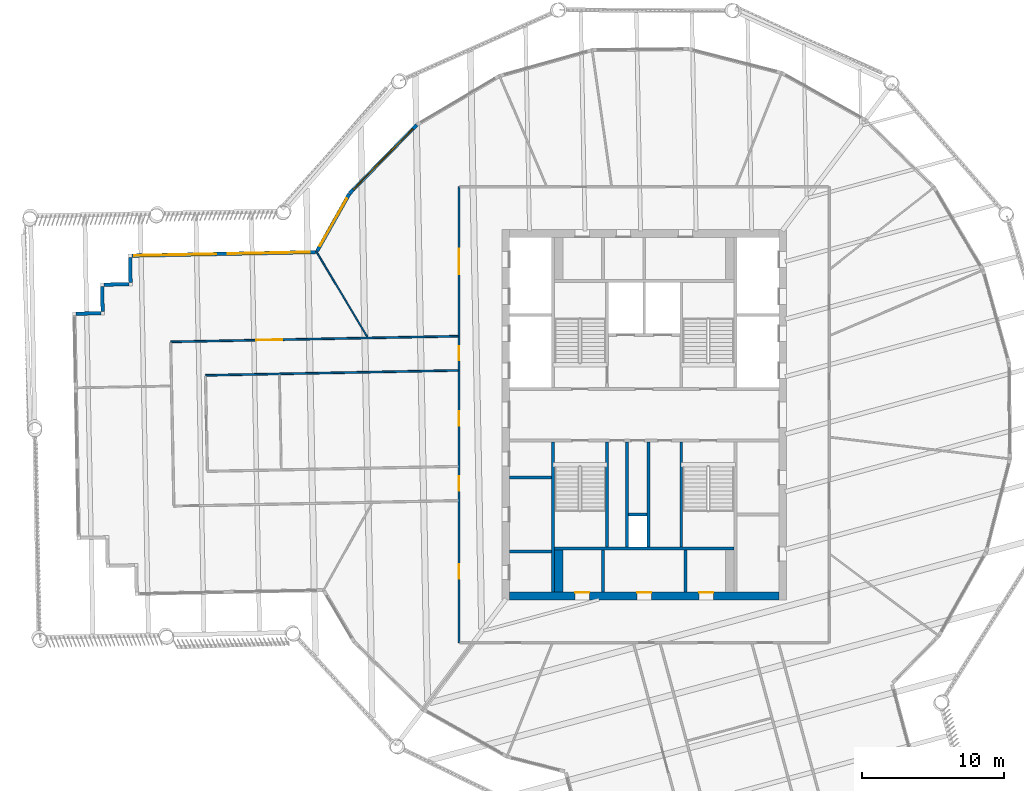
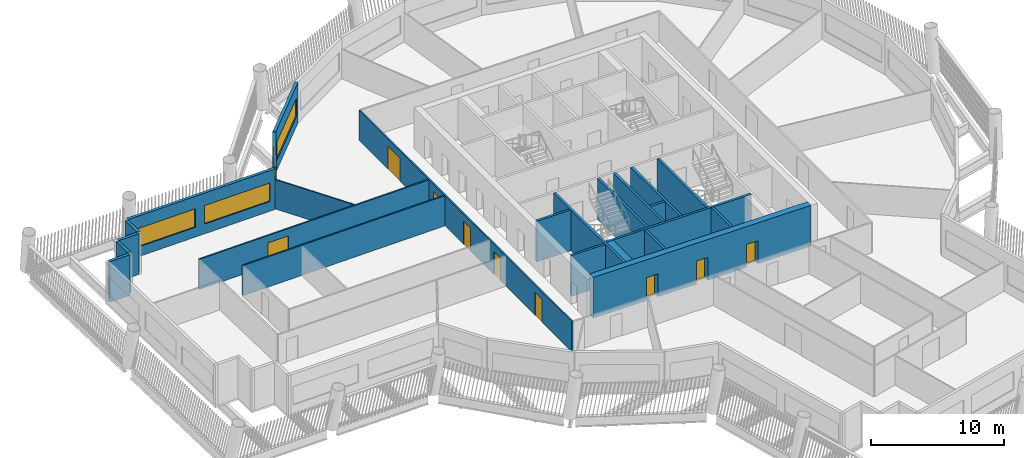
# One storey, part 4 of 15: 24 walls, 9 doors, 4 windows, 13 openings.
"""IFC4 building model written with IfcOpenShell, lengths in metres."""

from ifc_helpers import new_model, si_unit, direction, frame, frame_2d, origin, place, context, subcontext, project, spatial, rectangle, extrude, material, layer, layer_set, type_object, element, fill, save


model = new_model("IFC4")

# Units and contexts
model_context = context("Model", 3, precision=1e-05, world=origin(), true_north=direction((0.0, 1.0)))
body_context = subcontext(model_context, "Body", "Model", "MODEL_VIEW")
ifc_project = project(units=[si_unit("LENGTHUNIT", "METRE"), si_unit("AREAUNIT", "SQUARE_METRE"), si_unit("VOLUMEUNIT", "CUBIC_METRE"), si_unit("PLANEANGLEUNIT", "RADIAN"), si_unit("MASSUNIT", "GRAM", prefix="KILO")], contexts=[model_context])

# Site, building, storey
site_placement = place(None, origin())
site = spatial("IfcSite", under=ifc_project, at=site_placement, CompositionType="ELEMENT")
building_placement = place(site_placement, origin())
building = spatial("IfcBuilding", under=site, at=building_placement, Name="Tarsis Ring Headquarters", CompositionType="ELEMENT")
storey_placement = place(building_placement, frame((0.0, 0.0, 290.300048828125)))
storey = spatial("IfcBuildingStorey", under=building, at=storey_placement, Name="L68", CompositionType="ELEMENT", Elevation=290.300048828125)

# Walls
ifc_material_1 = material(Name="Blockwork", Category="masonry")
ifc_layer_1 = layer(ifc_material_1, 0.199951171875)
ifc_layer_set_1 = layer_set([ifc_layer_1], Name="Core blockwork wall 200")
wall_type_1 = type_object("IfcWallType", Name="Core blockwork wall 200", PredefinedType="PARTITIONING", material=ifc_layer_set_1)
for number, where, z_axis, x_axis, name in (
    (1, (-9.449951171875, -9.60009765625, 0.0), (0.0, 0.0, 1.0), (1.0, 0.0, 0.0), "Core partition WD1"),
    (2, (-9.449951171875, -4.39990234375, 0.0), (0.0, 0.0, 1.0), (1.0, 0.0, 0.0), "Core partition WD3"),
    (3, (-2.89990234375, -12.449951171875, 0.0), (0.0, 0.0, 1.0), (0.0, 1.0, 0.0), "Core partition SD1"),
    (4, (2.89990234375, -12.449951171875, 0.0), (0.0, 0.0, 1.0), (0.0, 1.0, 0.0), "Core partition SD3"),
):
    element("IfcWall", number, at=place(storey_placement, frame(where, z_axis=z_axis, x_axis=x_axis)), inside=storey, type_object=wall_type_1, Name=name, PredefinedType="PARTITIONING", context=body_context, shape_type="SweptSolid", body=[
        extrude(rectangle(XDim=2.949951171875, YDim=0.199951171875, at=frame_2d((1.47509765625, 0.0))), origin(), (0.0, 0.0, 1.0), 3.739990234375),
    ])
wall_1_placement = place(storey_placement, frame((-1.10009765625, -7.0, 0.0), z_axis=(0.0, 0.0, 1.0), x_axis=(1.0, 0.0, 0.0)))
element("IfcWall", 5, at=wall_1_placement, inside=storey, type_object=wall_type_1, Name="Core partition SP2", PredefinedType="PARTITIONING", context=body_context, shape_type="SweptSolid", body=[
    extrude(rectangle(XDim=1.300048828125, YDim=0.199951171875, at=frame_2d((0.64990234375, 0.0))), origin(), (0.0, 0.0, 1.0), 3.739990234375),
])
for number, where, z_axis, x_axis, name in (
    (6, (-1.199951171875, -9.300048828125, 0.0), (0.0, 0.0, 1.0), (0.0, 1.0, 0.0), "Core partition SV1"),
    (7, (0.300048828125, -9.300048828125, 0.0), (0.0, 0.0, 1.0), (0.0, 1.0, 0.0), "Core partition SV2"),
):
    element("IfcWall", number, at=place(storey_placement, frame(where, z_axis=z_axis, x_axis=x_axis)), inside=storey, type_object=wall_type_1, Name=name, PredefinedType="PARTITIONING", context=body_context, shape_type="SweptSolid", body=[
        extrude(rectangle(XDim=7.400146484375, YDim=0.199951171875, at=frame_2d((3.7001953125, 0.0))), origin(), (0.0, 0.0, 1.0), 3.739990234375),
    ])

# Wall, openings, doors
ifc_material_2 = material(Name="Concrete C50/60", Category="concrete")
ifc_layer_2 = layer(ifc_material_2, 0.550048828125)
ifc_layer_set_2 = layer_set([ifc_layer_2], Name="Core wall 550 C50/60")
wall_type_2 = type_object("IfcWallType", Name="Core wall 550 C50/60", PredefinedType="SHEAR", material=ifc_layer_set_2)
wall_2_placement = place(storey_placement, frame((-9.449951171875, -12.72509765625, 0.0), z_axis=(0.0, 0.0, 1.0), x_axis=(1.0, 0.0, 0.0)))
wall_2 = element("IfcWall", 8, at=wall_2_placement, inside=storey, type_object=wall_type_2, Name="Core wall OS", PredefinedType="SHEAR", context=body_context, shape_type="SweptSolid", body=[
    extrude(rectangle(XDim=18.89990234375, YDim=0.550048828125, at=frame_2d((9.449951171875, 0.0))), origin(), (0.0, 0.0, 1.0), 3.739990234375),
])
opening_1_placement = place(wall_2_placement, frame((4.60009765625, 0.0, 0.0)))
opening_1 = element("IfcOpeningElement", 9, at=opening_1_placement, cuts=wall_2, Name="Opening L68-C19", PredefinedType="OPENING", context=body_context, shape_type="SweptSolid", body=[
    extrude(rectangle(XDim=1.0, YDim=2.10009765625, at=frame_2d((0.5, 1.050048828125))), frame((0.0, 0.284912109375, 0.0), z_axis=(0.0, -1.0, 0.0), x_axis=(1.0, 0.0, 0.0)), (0.0, 0.0, 1.0), 0.570068359375),
])
opening_2_placement = place(wall_2_placement, frame((8.949951171875, 0.0, 0.0)))
opening_2 = element("IfcOpeningElement", 10, at=opening_2_placement, cuts=wall_2, Name="Opening L68-C20", PredefinedType="OPENING", context=body_context, shape_type="SweptSolid", body=[
    extrude(rectangle(XDim=1.0, YDim=2.10009765625, at=frame_2d((0.5, 1.050048828125))), frame((0.0, 0.284912109375, 0.0), z_axis=(0.0, -1.0, 0.0), x_axis=(1.0, 0.0, 0.0)), (0.0, 0.0, 1.0), 0.570068359375),
])
opening_3_placement = place(wall_2_placement, frame((13.300048828125, 0.0, 0.0)))
opening_3 = element("IfcOpeningElement", 11, at=opening_3_placement, cuts=wall_2, Name="Opening L68-C21", PredefinedType="OPENING", context=body_context, shape_type="SweptSolid", body=[
    extrude(rectangle(XDim=1.0, YDim=2.10009765625, at=frame_2d((0.5, 1.050048828125))), frame((0.0, 0.284912109375, 0.0), z_axis=(0.0, -1.0, 0.0), x_axis=(1.0, 0.0, 0.0)), (0.0, 0.0, 1.0), 0.570068359375),
])
ifc_material_3 = material(Name="Steel S355", Category="steel")
door_type_1 = type_object("IfcDoorType", Name="Core room door 1000x2100", OperationType="SINGLE_SWING_LEFT", PredefinedType="DOOR", material=ifc_material_3)
door_1_placement = place(opening_1_placement, origin())
door_1 = element("IfcDoor", 12, at=door_1_placement, inside=storey, type_object=door_type_1, Name="Core room door L68", OperationType="SINGLE_SWING_LEFT", OverallHeight=2.10009765625, OverallWidth=1.0, PredefinedType="DOOR", context=body_context, shape_type="SweptSolid", body=[
    extrude(rectangle(XDim=1.0, YDim=2.10009765625, at=frame_2d((0.5, 1.050048828125))), frame((0.0, 0.27490234375, 0.0), z_axis=(0.0, -1.0, 0.0), x_axis=(1.0, 0.0, 0.0)), (0.0, 0.0, 1.0), 0.050048828125),
])
fill(opening_1, door_1)
door_2_placement = place(opening_2_placement, origin())
door_2 = element("IfcDoor", 13, at=door_2_placement, inside=storey, type_object=door_type_1, Name="Core room door L68", OperationType="SINGLE_SWING_LEFT", OverallHeight=2.10009765625, OverallWidth=1.0, PredefinedType="DOOR", context=body_context, shape_type="SweptSolid", body=[
    extrude(rectangle(XDim=1.0, YDim=2.10009765625, at=frame_2d((0.5, 1.050048828125))), frame((0.0, 0.27490234375, 0.0), z_axis=(0.0, -1.0, 0.0), x_axis=(1.0, 0.0, 0.0)), (0.0, 0.0, 1.0), 0.050048828125),
])
fill(opening_2, door_2)
door_3_placement = place(opening_3_placement, origin())
door_3 = element("IfcDoor", 14, at=door_3_placement, inside=storey, type_object=door_type_1, Name="Core room door L68", OperationType="SINGLE_SWING_LEFT", OverallHeight=2.10009765625, OverallWidth=1.0, PredefinedType="DOOR", context=body_context, shape_type="SweptSolid", body=[
    extrude(rectangle(XDim=1.0, YDim=2.10009765625, at=frame_2d((0.5, 1.050048828125))), frame((0.0, 0.27490234375, 0.0), z_axis=(0.0, -1.0, 0.0), x_axis=(1.0, 0.0, 0.0)), (0.0, 0.0, 1.0), 0.050048828125),
])
fill(opening_3, door_3)

# Wall
ifc_material_4 = material(Name="Gypsum board on steel studs", Category="steel")
ifc_layer_3 = layer(ifc_material_4, 0.10009765625)
ifc_layer_set_3 = layer_set([ifc_layer_3], Name="FL partition 100 unrated")
wall_type_3 = type_object("IfcWallType", Name="FL partition 100 unrated", PredefinedType="PARTITIONING", material=ifc_layer_set_3)
wall_3_placement = place(storey_placement, frame((-23.031494140625, 11.476806640625, 0.0), z_axis=(0.0, 0.0, 1.0), x_axis=(0.513104671084, -0.858326043245, 0.0)))
element("IfcWall", 15, at=wall_3_placement, inside=storey, type_object=wall_type_3, Name="Partition PW3", PredefinedType="PARTITIONING", context=body_context, shape_type="SweptSolid", body=[
    extrude(rectangle(XDim=6.997802734375, YDim=0.10009765625, at=frame_2d((3.4990234375, 0.0))), origin(), (0.0, 0.0, 1.0), 2.699951171875),
])

# Wall, openings, doors
ifc_layer_4 = layer(ifc_material_4, 0.125)
ifc_layer_set_4 = layer_set([ifc_layer_4], Name="FL partition 125 EI 60 H2770")
wall_type_4 = type_object("IfcWallType", Name="FL partition 125 EI 60 H2770", PredefinedType="PARTITIONING", material=ifc_layer_set_4)
wall_4_placement = place(storey_placement, frame((-13.0, -16.0, 0.0), z_axis=(0.0, 0.0, 1.0), x_axis=(0.0, 1.0, 0.0)))
wall_4 = element("IfcWall", 16, at=wall_4_placement, inside=storey, type_object=wall_type_4, Name="Partition PW1", PredefinedType="PARTITIONING", context=body_context, shape_type="SweptSolid", body=[
    extrude(rectangle(XDim=32.0, YDim=0.125, at=frame_2d((16.0, 0.0))), origin(), (0.0, 0.0, 1.0), 2.77001953125),
])
opening_4_placement = place(wall_4_placement, frame((25.8583984375, 0.0, 0.0)))
opening_4 = element("IfcOpeningElement", 17, at=opening_4_placement, cuts=wall_4, Name="Opening D68.03", PredefinedType="OPENING", context=body_context, shape_type="SweptSolid", body=[
    extrude(rectangle(XDim=1.800048828125, YDim=2.10009765625, at=frame_2d((0.89990234375, 1.050048828125))), frame((0.0, 0.072509765625, 0.0), z_axis=(0.0, -1.0, 0.0), x_axis=(1.0, 0.0, 0.0)), (0.0, 0.0, 1.0), 0.14501953125),
])
opening_5_placement = place(wall_4_placement, frame((4.4873046875, 0.0, 0.0)))
opening_5 = element("IfcOpeningElement", 18, at=opening_5_placement, cuts=wall_4, Name="Opening D68.14", PredefinedType="OPENING", context=body_context, shape_type="SweptSolid", body=[
    extrude(rectangle(XDim=1.0, YDim=2.10009765625, at=frame_2d((0.5, 1.050048828125))), frame((0.0, 0.072509765625, 0.0), z_axis=(0.0, -1.0, 0.0), x_axis=(1.0, 0.0, 0.0)), (0.0, 0.0, 1.0), 0.14501953125),
])
opening_6_placement = place(wall_4_placement, frame((15.245849609375, 0.0, 0.0)))
opening_6 = element("IfcOpeningElement", 19, at=opening_6_placement, cuts=wall_4, Name="Opening D68.15", PredefinedType="OPENING", context=body_context, shape_type="SweptSolid", body=[
    extrude(rectangle(XDim=1.0, YDim=2.10009765625, at=frame_2d((0.5, 1.050048828125))), frame((0.0, 0.072509765625, 0.0), z_axis=(0.0, -1.0, 0.0), x_axis=(1.0, 0.0, 0.0)), (0.0, 0.0, 1.0), 0.14501953125),
])
opening_7_placement = place(wall_4_placement, frame((10.675048828125, 0.0, 0.0)))
opening_7 = element("IfcOpeningElement", 20, at=opening_7_placement, cuts=wall_4, Name="Opening D68.21", PredefinedType="OPENING", context=body_context, shape_type="SweptSolid", body=[
    extrude(rectangle(XDim=1.0, YDim=2.10009765625, at=frame_2d((0.5, 1.050048828125))), frame((0.0, 0.072509765625, 0.0), z_axis=(0.0, -1.0, 0.0), x_axis=(1.0, 0.0, 0.0)), (0.0, 0.0, 1.0), 0.14501953125),
])
opening_8_placement = place(wall_4_placement, frame((19.816650390625, 0.0, 0.0)))
opening_8 = element("IfcOpeningElement", 21, at=opening_8_placement, cuts=wall_4, Name="Opening D68.22", PredefinedType="OPENING", context=body_context, shape_type="SweptSolid", body=[
    extrude(rectangle(XDim=1.0, YDim=2.10009765625, at=frame_2d((0.5, 1.050048828125))), frame((0.0, 0.072509765625, 0.0), z_axis=(0.0, -1.0, 0.0), x_axis=(1.0, 0.0, 0.0)), (0.0, 0.0, 1.0), 0.14501953125),
])
ifc_material_5 = material(Name="Fire-rated timber door leaf in steel frame", Category="steel")
door_type_2 = type_object("IfcDoorType", Name="FL door FD60-1000", OperationType="NOTDEFINED", PredefinedType="DOOR", material=ifc_material_5)
door_4_placement = place(opening_5_placement, origin())
door_4 = element("IfcDoor", 22, at=door_4_placement, inside=storey, type_object=door_type_2, Name="Door D68.14", OperationType="SINGLE_SWING_RIGHT", OverallHeight=2.10009765625, OverallWidth=1.0, PredefinedType="DOOR", context=body_context, shape_type="SweptSolid", body=[
    extrude(rectangle(XDim=1.0, YDim=2.10009765625, at=frame_2d((0.5, 1.050048828125))), frame((0.0, 0.02490234375, 0.0), z_axis=(0.0, -1.0, 0.0), x_axis=(1.0, 0.0, 0.0)), (0.0, 0.0, 1.0), 0.050048828125),
])
fill(opening_5, door_4)
door_5_placement = place(opening_6_placement, origin())
door_5 = element("IfcDoor", 23, at=door_5_placement, inside=storey, type_object=door_type_2, Name="Door D68.15", OperationType="SINGLE_SWING_LEFT", OverallHeight=2.10009765625, OverallWidth=1.0, PredefinedType="DOOR", context=body_context, shape_type="SweptSolid", body=[
    extrude(rectangle(XDim=1.0, YDim=2.10009765625, at=frame_2d((0.5, 1.050048828125))), frame((0.0, 0.02490234375, 0.0), z_axis=(0.0, -1.0, 0.0), x_axis=(1.0, 0.0, 0.0)), (0.0, 0.0, 1.0), 0.050048828125),
])
fill(opening_6, door_5)
door_6_placement = place(opening_7_placement, origin())
door_6 = element("IfcDoor", 24, at=door_6_placement, inside=storey, type_object=door_type_2, Name="Door D68.21", OperationType="SINGLE_SWING_LEFT", OverallHeight=2.10009765625, OverallWidth=1.0, PredefinedType="DOOR", context=body_context, shape_type="SweptSolid", body=[
    extrude(rectangle(XDim=1.0, YDim=2.10009765625, at=frame_2d((0.5, 1.050048828125))), frame((0.0, 0.02490234375, 0.0), z_axis=(0.0, -1.0, 0.0), x_axis=(1.0, 0.0, 0.0)), (0.0, 0.0, 1.0), 0.050048828125),
])
fill(opening_7, door_6)
door_7_placement = place(opening_8_placement, origin())
door_7 = element("IfcDoor", 25, at=door_7_placement, inside=storey, type_object=door_type_2, Name="Door D68.22", OperationType="SINGLE_SWING_RIGHT", OverallHeight=2.10009765625, OverallWidth=1.0, PredefinedType="DOOR", context=body_context, shape_type="SweptSolid", body=[
    extrude(rectangle(XDim=1.0, YDim=2.10009765625, at=frame_2d((0.5, 1.050048828125))), frame((0.0, 0.02490234375, 0.0), z_axis=(0.0, -1.0, 0.0), x_axis=(1.0, 0.0, 0.0)), (0.0, 0.0, 1.0), 0.050048828125),
])
fill(opening_8, door_7)
door_type_3 = type_object("IfcDoorType", Name="FL door FD60-1800", OperationType="DOUBLE_DOOR_SINGLE_SWING", PredefinedType="DOOR", material=ifc_material_5)
door_8_placement = place(opening_4_placement, origin())
door_8 = element("IfcDoor", 26, at=door_8_placement, inside=storey, type_object=door_type_3, Name="Door D68.03", OperationType="DOUBLE_DOOR_SINGLE_SWING", OverallHeight=2.10009765625, OverallWidth=1.800048828125, PredefinedType="DOOR", context=body_context, shape_type="SweptSolid", body=[
    extrude(rectangle(XDim=1.800048828125, YDim=2.10009765625, at=frame_2d((0.89990234375, 1.050048828125))), frame((0.0, 0.02490234375, 0.0), z_axis=(0.0, -1.0, 0.0), x_axis=(1.0, 0.0, 0.0)), (0.0, 0.0, 1.0), 0.050048828125),
])
fill(opening_4, door_8)

# Wall, opening, door
wall_5_placement = place(storey_placement, frame((-33.24658203125, 5.12109375, 0.0), z_axis=(0.0, 0.0, 1.0), x_axis=(0.999808875638, 0.019550247971, 0.0)))
wall_5 = element("IfcWall", 27, at=wall_5_placement, inside=storey, type_object=wall_type_4, Name="Partition PW1", PredefinedType="PARTITIONING", context=body_context, shape_type="SweptSolid", body=[
    extrude(rectangle(XDim=20.180419921875, YDim=0.125, at=frame_2d((10.09033203125, 0.0))), origin(), (0.0, 0.0, 1.0), 2.77001953125),
])
opening_9_placement = place(wall_5_placement, frame((6.02587890625, 0.0, 0.0)))
opening_9 = element("IfcOpeningElement", 28, at=opening_9_placement, cuts=wall_5, Name="Opening D68.02", PredefinedType="OPENING", context=body_context, shape_type="SweptSolid", body=[
    extrude(rectangle(XDim=1.800048828125, YDim=2.10009765625, at=frame_2d((0.89990234375, 1.050048828125))), frame((0.0, 0.072509765625, 0.0), z_axis=(0.0, -1.0, 0.0), x_axis=(1.0, 0.0, 0.0)), (0.0, 0.0, 1.0), 0.14501953125),
])
door_9_placement = place(opening_9_placement, origin())
door_9 = element("IfcDoor", 29, at=door_9_placement, inside=storey, type_object=door_type_3, Name="Door D68.02", OperationType="DOUBLE_DOOR_SINGLE_SWING", OverallHeight=2.10009765625, OverallWidth=1.800048828125, PredefinedType="DOOR", context=body_context, shape_type="SweptSolid", body=[
    extrude(rectangle(XDim=1.800048828125, YDim=2.10009765625, at=frame_2d((0.89990234375, 1.050048828125))), frame((0.0, 0.02490234375, 0.0), z_axis=(0.0, -1.0, 0.0), x_axis=(1.0, 0.0, 0.0)), (0.0, 0.0, 1.0), 0.050048828125),
])
fill(opening_9, door_9)

# Wall
wall_6_placement = place(storey_placement, frame((-30.800048828125, 2.7685546875, 0.0), z_axis=(0.0, 0.0, 1.0), x_axis=(0.999809157961, 0.01953580451, 0.0)))
element("IfcWall", 30, at=wall_6_placement, inside=storey, type_object=wall_type_4, Name="Partition PW1", PredefinedType="PARTITIONING", context=body_context, shape_type="SweptSolid", body=[
    extrude(rectangle(XDim=17.7333984375, YDim=0.125, at=frame_2d((8.86669921875, 0.0))), origin(), (0.0, 0.0, 1.0), 2.77001953125),
])

# Wall, opening, window
ifc_material_6 = material(Name="Terracotta clad insulated panel wall", Category="masonry")
ifc_layer_5 = layer(ifc_material_6, 0.25)
ifc_layer_set_5 = layer_set([ifc_layer_5], Name="Facade wall terracotta panel 250")
wall_type_5 = type_object("IfcWallType", Name="Facade wall terracotta panel 250", PredefinedType="STANDARD", material=ifc_layer_set_5)
wall_7_placement = place(storey_placement, frame((-15.983642578125, 20.34375, 0.0), z_axis=(0.0, 0.0, 1.0), x_axis=(-0.699419627642, -0.714711259509, 0.0)))
wall_7 = element("IfcWall", 31, at=wall_7_placement, inside=storey, type_object=wall_type_5, Name="External wall L68-29", PredefinedType="STANDARD", context=body_context, shape_type="SweptSolid", body=[
    extrude(rectangle(XDim=6.721435546875, YDim=0.25, at=frame_2d((3.36083984375, 0.0))), origin(), (0.0, 0.0, 1.0), 3.739990234375),
])
opening_10_placement = place(wall_7_placement, frame((0.3857421875, 0.0, 0.89990234375)))
opening_10 = element("IfcOpeningElement", 32, at=opening_10_placement, cuts=wall_7, Name="Opening WN07", PredefinedType="OPENING", context=body_context, shape_type="SweptSolid", body=[
    extrude(rectangle(XDim=5.949951171875, YDim=1.699951171875, at=frame_2d((2.97509765625, 0.85009765625))), frame((0.0, 0.135009765625, 0.0), z_axis=(0.0, -1.0, 0.0), x_axis=(1.0, 0.0, 0.0)), (0.0, 0.0, 1.0), 0.27001953125),
])
ifc_material_7 = material(Name="Aluminium framed double glazing", Category="aluminium")
window_type_1 = type_object("IfcWindowType", Name="Facade window 5950 x 1700", PartitioningType="SINGLE_PANEL", PredefinedType="WINDOW", material=ifc_material_7)
window_1_placement = place(opening_10_placement, origin())
window_1 = element("IfcWindow", 33, at=window_1_placement, inside=storey, type_object=window_type_1, Name="Window L68-29.1", OverallHeight=1.699951171875, OverallWidth=5.949951171875, PartitioningType="SINGLE_PANEL", PredefinedType="WINDOW", context=body_context, shape_type="SweptSolid", body=[
    extrude(rectangle(XDim=5.949951171875, YDim=1.699951171875, at=frame_2d((2.97509765625, 0.85009765625))), frame((0.0, 0.030029296875, 0.0), z_axis=(0.0, -1.0, 0.0), x_axis=(1.0, 0.0, 0.0)), (0.0, 0.0, 1.0), 0.06005859375),
])
fill(opening_10, window_1)

wall_8_placement = place(storey_placement, frame((-20.70458984375, 15.513671875, 0.0), z_axis=(0.0, 0.0, 1.0), x_axis=(-0.490577483955, -0.871397574151, 0.0)))
wall_8 = element("IfcWall", 34, at=wall_8_placement, inside=storey, type_object=wall_type_5, Name="External wall L68-30", PredefinedType="STANDARD", context=body_context, shape_type="SweptSolid", body=[
    extrude(rectangle(XDim=4.61767578125, YDim=0.25, at=frame_2d((2.308837890625, 0.0))), origin(), (0.0, 0.0, 1.0), 3.739990234375),
])
opening_11_placement = place(wall_8_placement, frame((0.367431640625, 0.0, 0.89990234375)))
opening_11 = element("IfcOpeningElement", 35, at=opening_11_placement, cuts=wall_8, Name="Opening WN02", PredefinedType="OPENING", context=body_context, shape_type="SweptSolid", body=[
    extrude(rectangle(XDim=3.85009765625, YDim=1.699951171875, at=frame_2d((1.925048828125, 0.85009765625))), frame((0.0, 0.135009765625, 0.0), z_axis=(0.0, -1.0, 0.0), x_axis=(1.0, 0.0, 0.0)), (0.0, 0.0, 1.0), 0.27001953125),
])
window_type_2 = type_object("IfcWindowType", Name="Facade window 3850 x 1700", PartitioningType="SINGLE_PANEL", PredefinedType="WINDOW", material=ifc_material_7)
window_2_placement = place(opening_11_placement, origin())
window_2 = element("IfcWindow", 36, at=window_2_placement, inside=storey, type_object=window_type_2, Name="Window L68-30.1", OverallHeight=1.699951171875, OverallWidth=3.85009765625, PartitioningType="SINGLE_PANEL", PredefinedType="WINDOW", context=body_context, shape_type="SweptSolid", body=[
    extrude(rectangle(XDim=3.85009765625, YDim=1.699951171875, at=frame_2d((1.925048828125, 0.85009765625))), frame((0.0, 0.030029296875, 0.0), z_axis=(0.0, -1.0, 0.0), x_axis=(1.0, 0.0, 0.0)), (0.0, 0.0, 1.0), 0.06005859375),
])
fill(opening_11, window_2)

# Wall, openings, windows
wall_9_placement = place(storey_placement, frame((-23.076416015625, 11.426025390625, 0.0), z_axis=(0.0, 0.0, 1.0), x_axis=(-0.999808918267, -0.01954806777, 0.0)))
wall_9 = element("IfcWall", 37, at=wall_9_placement, inside=storey, type_object=wall_type_5, Name="External wall L68-31", PredefinedType="STANDARD", context=body_context, shape_type="SweptSolid", body=[
    extrude(rectangle(XDim=12.9013671875, YDim=0.25, at=frame_2d((6.45068359375, 0.0))), origin(), (0.0, 0.0, 1.0), 3.739990234375),
])
opening_12_placement = place(wall_9_placement, frame((0.412841796875, 0.0, 0.89990234375)))
opening_12 = element("IfcOpeningElement", 38, at=opening_12_placement, cuts=wall_9, Name="Opening WN06", PredefinedType="OPENING", context=body_context, shape_type="SweptSolid", body=[
    extrude(rectangle(XDim=5.75, YDim=1.699951171875, at=frame_2d((2.875, 0.85009765625))), frame((0.0, 0.135009765625, 0.0), z_axis=(0.0, -1.0, 0.0), x_axis=(1.0, 0.0, 0.0)), (0.0, 0.0, 1.0), 0.27001953125),
])
opening_13_placement = place(wall_9_placement, frame((6.988525390625, 0.0, 0.89990234375)))
opening_13 = element("IfcOpeningElement", 39, at=opening_13_placement, cuts=wall_9, Name="Opening WN06", PredefinedType="OPENING", context=body_context, shape_type="SweptSolid", body=[
    extrude(rectangle(XDim=5.75, YDim=1.699951171875, at=frame_2d((2.875, 0.85009765625))), frame((0.0, 0.135009765625, 0.0), z_axis=(0.0, -1.0, 0.0), x_axis=(1.0, 0.0, 0.0)), (0.0, 0.0, 1.0), 0.27001953125),
])
window_type_3 = type_object("IfcWindowType", Name="Facade window 5750 x 1700", PartitioningType="SINGLE_PANEL", PredefinedType="WINDOW", material=ifc_material_7)
window_3_placement = place(opening_12_placement, origin())
window_3 = element("IfcWindow", 40, at=window_3_placement, inside=storey, type_object=window_type_3, Name="Window L68-31.1", OverallHeight=1.699951171875, OverallWidth=5.75, PartitioningType="SINGLE_PANEL", PredefinedType="WINDOW", context=body_context, shape_type="SweptSolid", body=[
    extrude(rectangle(XDim=5.75, YDim=1.699951171875, at=frame_2d((2.875, 0.85009765625))), frame((0.0, 0.030029296875, 0.0), z_axis=(0.0, -1.0, 0.0), x_axis=(1.0, 0.0, 0.0)), (0.0, 0.0, 1.0), 0.06005859375),
])
fill(opening_12, window_3)
window_4_placement = place(opening_13_placement, origin())
window_4 = element("IfcWindow", 41, at=window_4_placement, inside=storey, type_object=window_type_3, Name="Window L68-31.2", OverallHeight=1.699951171875, OverallWidth=5.75, PartitioningType="SINGLE_PANEL", PredefinedType="WINDOW", context=body_context, shape_type="SweptSolid", body=[
    extrude(rectangle(XDim=5.75, YDim=1.699951171875, at=frame_2d((2.875, 0.85009765625))), frame((0.0, 0.030029296875, 0.0), z_axis=(0.0, -1.0, 0.0), x_axis=(1.0, 0.0, 0.0)), (0.0, 0.0, 1.0), 0.06005859375),
])
fill(opening_13, window_4)

# Walls
for number, where, z_axis, x_axis, name in (
    (42, (-36.097900390625, 11.046630859375, 0.0), (0.0, 0.0, 1.0), (0.01953024938, -0.99980926649, 0.0), "External wall L68-32"),
    (43, (-36.18603515625, 9.16943359375, 0.0), (0.0, 0.0, 1.0), (-0.99980926649, -0.01953024938, 0.0), "External wall L68-33"),
    (44, (-38.058349609375, 9.0078125, 0.0), (0.0, 0.0, 1.0), (0.01953024938, -0.99980926649, 0.0), "External wall L68-34"),
):
    element("IfcWall", number, at=place(storey_placement, frame(where, z_axis=z_axis, x_axis=x_axis)), inside=storey, type_object=wall_type_5, Name=name, PredefinedType="STANDARD", context=body_context, shape_type="SweptSolid", body=[
        extrude(rectangle(XDim=1.75, YDim=0.25, at=frame_2d((0.875, 0.0))), origin(), (0.0, 0.0, 1.0), 3.739990234375),
    ])
wall_10_placement = place(storey_placement, frame((-38.146728515625, 7.130615234375, 0.0), z_axis=(0.0, 0.0, 1.0), x_axis=(-0.999809213269, -0.019532973745, 0.0)))
element("IfcWall", 45, at=wall_10_placement, inside=storey, type_object=wall_type_5, Name="External wall L68-35", PredefinedType="STANDARD", context=body_context, shape_type="SweptSolid", body=[
    extrude(rectangle(XDim=1.749755859375, YDim=0.25, at=frame_2d((0.875, 0.0))), origin(), (0.0, 0.0, 1.0), 3.739990234375),
])
ifc_material_8 = material(Name="Concrete C32/40", Category="concrete")
ifc_layer_6 = layer(ifc_material_8, 0.60009765625)
ifc_layer_set_6 = layer_set([ifc_layer_6], Name="Shaft end wall 600 C32/40")
wall_type_6 = type_object("IfcWallType", Name="Shaft end wall 600 C32/40", PredefinedType="SOLIDWALL", material=ifc_layer_set_6)
wall_11_placement = place(storey_placement, frame((-6.0, -12.449951171875, 0.0), z_axis=(0.0, 0.0, 1.0), x_axis=(0.0, 1.0, 0.0)))
element("IfcWall", 46, at=wall_11_placement, inside=storey, type_object=wall_type_6, Name="Core shaft wall SNE1", PredefinedType="SOLIDWALL", context=body_context, shape_type="SweptSolid", body=[
    extrude(rectangle(XDim=2.949951171875, YDim=0.60009765625, at=frame_2d((1.47509765625, 0.0))), origin(), (0.0, 0.0, 1.0), 3.739990234375),
])
ifc_layer_7 = layer(ifc_material_8, 0.199951171875)
ifc_layer_set_7 = layer_set([ifc_layer_7], Name="Shaft wall 200 C32/40")
wall_type_7 = type_object("IfcWallType", Name="Shaft wall 200 C32/40", PredefinedType="SOLIDWALL", material=ifc_layer_set_7)
wall_12_placement = place(storey_placement, frame((-6.39990234375, -12.449951171875, 0.0), z_axis=(0.0, 0.0, 1.0), x_axis=(0.0, 1.0, 0.0)))
element("IfcWall", 47, at=wall_12_placement, inside=storey, type_object=wall_type_7, Name="Core shaft wall WB1", PredefinedType="SOLIDWALL", context=body_context, shape_type="SweptSolid", body=[
    extrude(rectangle(XDim=10.550048828125, YDim=0.199951171875, at=frame_2d((5.27490234375, 0.0))), origin(), (0.0, 0.0, 1.0), 3.739990234375),
])
wall_13_placement = place(storey_placement, frame((-6.300048828125, -9.39990234375, 0.0), z_axis=(0.0, 0.0, 1.0), x_axis=(1.0, 0.0, 0.0)))
element("IfcWall", 48, at=wall_13_placement, inside=storey, type_object=wall_type_7, Name="Core shaft wall SB", PredefinedType="SOLIDWALL", context=body_context, shape_type="SweptSolid", body=[
    extrude(rectangle(XDim=12.60009765625, YDim=0.199951171875, at=frame_2d((6.300048828125, 0.0))), origin(), (0.0, 0.0, 1.0), 3.739990234375),
])
for number, where, z_axis, x_axis, name in (
    (49, (-2.60009765625, -9.300048828125, 0.0), (0.0, 0.0, 1.0), (0.0, 1.0, 0.0), "Core shaft wall SW3"),
    (50, (2.60009765625, -9.300048828125, 0.0), (0.0, 0.0, 1.0), (0.0, 1.0, 0.0), "Core shaft wall SW4"),
):
    element("IfcWall", number, at=place(storey_placement, frame(where, z_axis=z_axis, x_axis=x_axis)), inside=storey, type_object=wall_type_7, Name=name, PredefinedType="SOLIDWALL", context=body_context, shape_type="SweptSolid", body=[
        extrude(rectangle(XDim=7.400146484375, YDim=0.199951171875, at=frame_2d((3.7001953125, 0.0))), origin(), (0.0, 0.0, 1.0), 3.739990234375),
    ])

save(model, "model.ifc")
